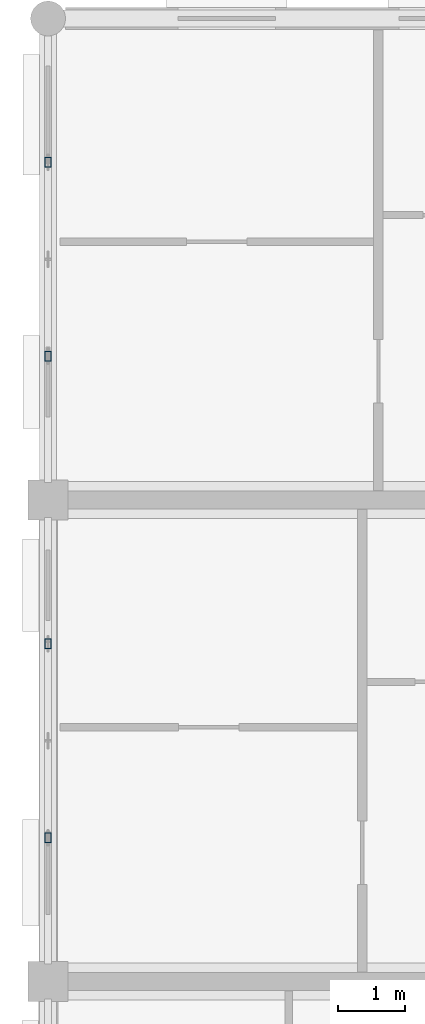
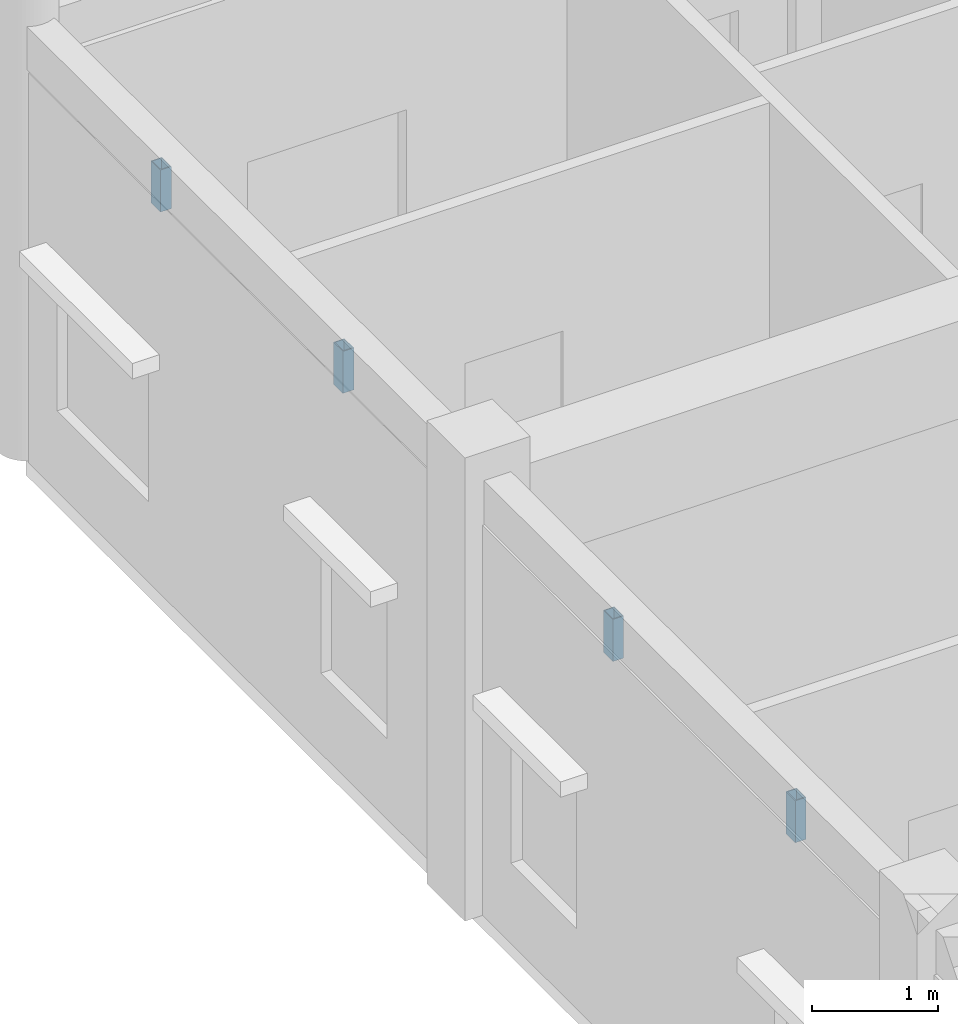
# One storey, part 34 of 138: 4 members.
"""IFC4 building model written with IfcOpenShell, lengths in metres."""

from ifc_helpers import new_model, si_unit, direction, frame, origin, origin_2d, place, context, subcontext, project, spatial, hollow_rectangle, extrude, material, material_profile, profile_set, type_object, element, save


model = new_model("IFC4")

# Units and contexts
model_context = context("Model", 3, precision=1e-05, world=origin(), true_north=direction((0.0, 1.0)))
body_context = subcontext(model_context, "Body", "Model", "MODEL_VIEW")
ifc_project = project(units=[si_unit("LENGTHUNIT", "METRE"), si_unit("AREAUNIT", "SQUARE_METRE"), si_unit("VOLUMEUNIT", "CUBIC_METRE"), si_unit("PLANEANGLEUNIT", "RADIAN"), si_unit("MASSUNIT", "GRAM", prefix="KILO"), si_unit("THERMODYNAMICTEMPERATUREUNIT", "KELVIN"), si_unit("POWERUNIT", "WATT")], contexts=[model_context])

# Site, building, storey
site_placement = place(None, origin())
site = spatial("IfcSite", under=ifc_project, at=site_placement, CompositionType="ELEMENT")
building_placement = place(site_placement, origin())
building = spatial("IfcBuilding", under=site, at=building_placement, Name="Tavuni Mirador Residences", CompositionType="ELEMENT")
storey_placement = place(building_placement, origin())
storey = spatial("IfcBuildingStorey", under=building, at=storey_placement, Name="L00", CompositionType="ELEMENT", Elevation=0.0)

# Members
ifc_material = material(Name="Structural steel S355", Category="steel")
ifc_material_profile = material_profile(ifc_material, hollow_rectangle(XDim=0.10009765625, YDim=0.14990234375, WallThickness=0.008056640625, at=origin_2d()), Name="RHS 150x100x8.0", Category="steel")
ifc_profile_set = profile_set([ifc_material_profile], Name="Structural steel S355")
member_type = type_object("IfcMemberType", Name="MT-BR-RHS150", PredefinedType="BRACE", material=ifc_profile_set)
for number, where, z_axis, x_axis, name in (
    (1, (3.60009765625, 38.14794921875, 3.601318359375), (0.0, 0.0, 1.0), (1.0, 0.0, 0.0), "ARCH-BLKA-W-04-V1"),
    (2, (3.60009765625, 41.052001953125, 3.601318359375), (0.0, 0.0, 1.0), (1.0, 0.0, 0.0), "ARCH-BLKA-W-04-V2"),
    (3, (3.60009765625, 45.347900390625, 3.601318359375), (0.0, 0.0, 1.0), (1.0, 0.0, 0.0), "ARCH-BLKA-W-05-V1"),
    (4, (3.60009765625, 48.251953125, 3.601318359375), (0.0, 0.0, 1.0), (1.0, 0.0, 0.0), "ARCH-BLKA-W-05-V2"),
):
    element("IfcMember", number, at=place(storey_placement, frame(where, z_axis=z_axis, x_axis=x_axis)), inside=storey, type_object=member_type, Name=name, PredefinedType="BRACE", context=body_context, shape_type="SweptSolid", body=[
        extrude(hollow_rectangle(XDim=0.10009765625, YDim=0.14990234375, WallThickness=0.008056640625, at=origin_2d()), origin(), (0.0, 0.0, 1.0), 0.40869140625),
    ])

save(model, "model.ifc")
